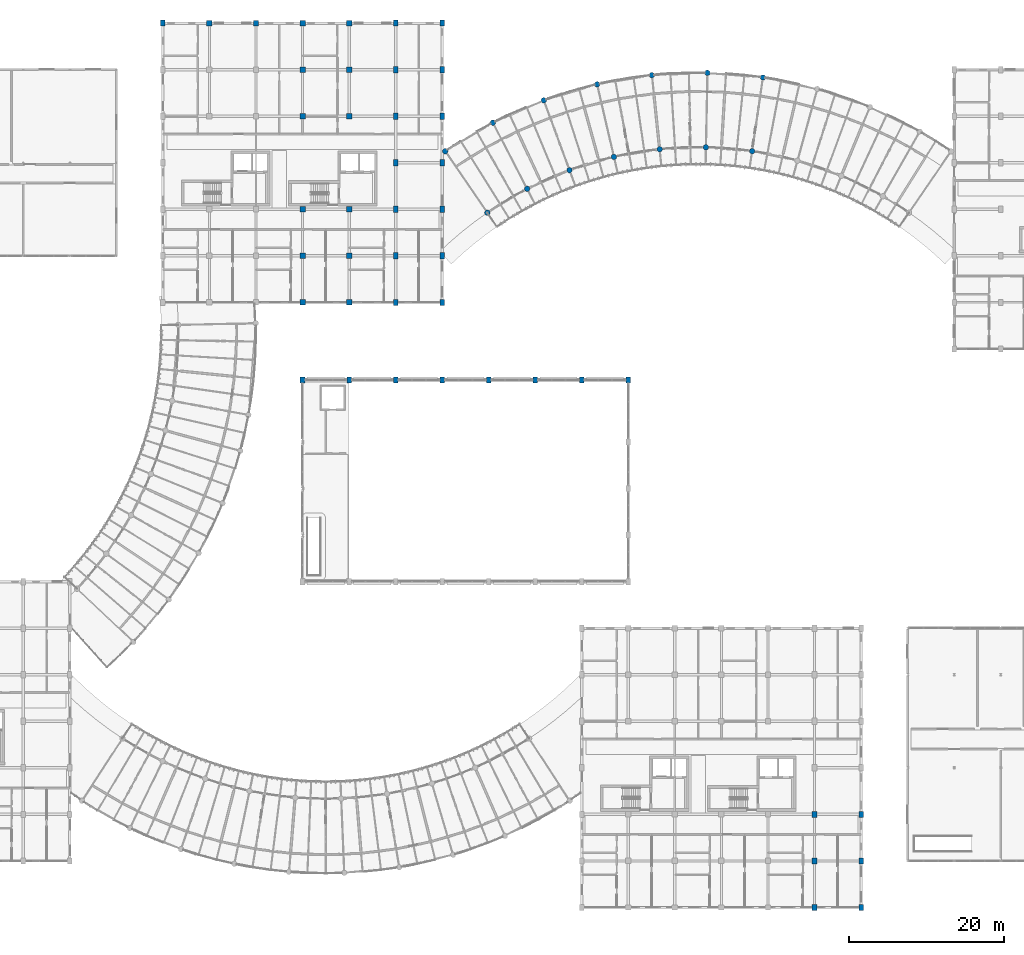
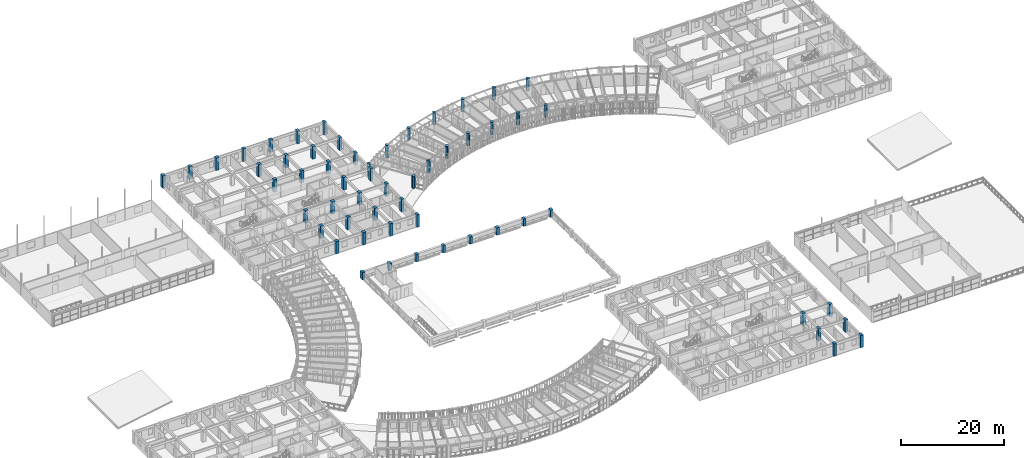
# One storey, part 9 of 137: 57 columns.
"""IFC4 building model written with IfcOpenShell, lengths in metres."""

from ifc_helpers import new_model, si_unit, direction, frame, origin, origin_2d, place, context, subcontext, project, spatial, rectangle, circle, extrude, material, material_profile, profile_set, type_object, element, save


model = new_model("IFC4")

# Units and contexts
model_context = context("Model", 3, precision=1e-05, world=origin(), true_north=direction((0.0, 1.0)))
body_context = subcontext(model_context, "Body", "Model", "MODEL_VIEW")
ifc_project = project(units=[si_unit("LENGTHUNIT", "METRE"), si_unit("AREAUNIT", "SQUARE_METRE"), si_unit("VOLUMEUNIT", "CUBIC_METRE"), si_unit("PLANEANGLEUNIT", "RADIAN"), si_unit("MASSUNIT", "GRAM", prefix="KILO"), si_unit("POWERUNIT", "WATT"), si_unit("THERMODYNAMICTEMPERATUREUNIT", "KELVIN")], contexts=[model_context])

# Site, building, storey
site_placement = place(None, origin())
site = spatial("IfcSite", under=ifc_project, at=site_placement, CompositionType="ELEMENT")
building_placement = place(site_placement, origin())
building = spatial("IfcBuilding", under=site, at=building_placement, Name="Ruvembo Vaulted Housing Court", CompositionType="ELEMENT")
storey_placement = place(building_placement, frame((0.0, 0.0, 4.5)))
storey = spatial("IfcBuildingStorey", under=building, at=storey_placement, Name="L01", CompositionType="ELEMENT", Elevation=4.5)

# Columns
ifc_material = material(Name="Concrete C40/50", Category="concrete")
ifc_material_profile_1 = material_profile(ifc_material, rectangle(XDim=0.60009765625, YDim=0.800048828125, at=origin_2d()), Name="RC 600x800")
ifc_profile_set_1 = profile_set([ifc_material_profile_1], Name="Concrete C40/50")
column_type_1 = type_object("IfcColumnType", Name="COL-RC-600x800", PredefinedType="COLUMN", material=ifc_profile_set_1)
column_1_placement = place(storey_placement, frame((48.0, 114.0, 0.0), z_axis=(0.0, 0.0, 1.0), x_axis=(1.0, 0.0, 0.0)))
element("IfcColumn", 1, at=column_1_placement, inside=storey, type_object=column_type_1, Name="L01 Column (48,114)", PredefinedType="COLUMN", context=body_context, shape_type="SweptSolid", body=[
    extrude(rectangle(XDim=0.60009765625, YDim=0.800048828125, at=origin_2d()), origin(), (0.0, 0.0, 1.0), 2.945068359375),
])
for number, where, z_axis, x_axis, name in (
    (2, (66.0, 68.0, 0.0), (0.0, 0.0, 1.0), (1.0, 0.0, 0.0), "L01 Column (66,68)"),
    (3, (72.0, 68.0, 0.0), (0.0, 0.0, 1.0), (1.0, 0.0, 0.0), "L01 Column (72,68)"),
    (4, (78.0, 68.0, 0.0), (0.0, 0.0, 1.0), (1.0, 0.0, 0.0), "L01 Column (78,68)"),
):
    element("IfcColumn", number, at=place(storey_placement, frame(where, z_axis=z_axis, x_axis=x_axis)), inside=storey, type_object=column_type_1, Name=name, PredefinedType="COLUMN", context=body_context, shape_type="SweptSolid", body=[
        extrude(rectangle(XDim=0.60009765625, YDim=0.800048828125, at=origin_2d()), origin(), (0.0, 0.0, 1.0), 1.719970703125),
    ])
for number, where, z_axis, x_axis, name in (
    (5, (78.0, 78.0, 0.0), (0.0, 0.0, 1.0), (1.0, 0.0, 0.0), "L01 Column (78,78)"),
    (6, (78.0, 84.0, 0.0), (0.0, 0.0, 1.0), (1.0, 0.0, 0.0), "L01 Column (78,84)"),
    (7, (78.0, 90.0, 0.0), (0.0, 0.0, 1.0), (1.0, 0.0, 0.0), "L01 Column (78,90)"),
    (8, (78.0, 96.0, 0.0), (0.0, 0.0, 1.0), (1.0, 0.0, 0.0), "L01 Column (78,96)"),
    (9, (78.0, 102.0, 0.0), (0.0, 0.0, 1.0), (1.0, 0.0, 0.0), "L01 Column (78,102)"),
    (10, (78.0, 108.0, 0.0), (0.0, 0.0, 1.0), (1.0, 0.0, 0.0), "L01 Column (78,108)"),
    (11, (78.0, 114.0, 0.0), (0.0, 0.0, 1.0), (1.0, 0.0, 0.0), "L01 Column (78,114)"),
):
    element("IfcColumn", number, at=place(storey_placement, frame(where, z_axis=z_axis, x_axis=x_axis)), inside=storey, type_object=column_type_1, Name=name, PredefinedType="COLUMN", context=body_context, shape_type="SweptSolid", body=[
        extrude(rectangle(XDim=0.60009765625, YDim=0.800048828125, at=origin_2d()), origin(), (0.0, 0.0, 1.0), 2.945068359375),
    ])
column_2_placement = place(storey_placement, frame((84.0, 68.0, 0.0), z_axis=(0.0, 0.0, 1.0), x_axis=(1.0, 0.0, 0.0)))
element("IfcColumn", 12, at=column_2_placement, inside=storey, type_object=column_type_1, Name="L01 Column (84,68)", PredefinedType="COLUMN", context=body_context, shape_type="SweptSolid", body=[
    extrude(rectangle(XDim=0.60009765625, YDim=0.800048828125, at=origin_2d()), origin(), (0.0, 0.0, 1.0), 1.719970703125),
])
for number, where, z_axis, x_axis, name in (
    (13, (84.0, 78.0, 0.0), (0.0, 0.0, 1.0), (1.0, 0.0, 0.0), "L01 Column (84,78)"),
    (14, (84.0, 84.0, 0.0), (0.0, 0.0, 1.0), (1.0, 0.0, 0.0), "L01 Column (84,84)"),
    (15, (84.0, 90.0, 0.0), (0.0, 0.0, 1.0), (1.0, 0.0, 0.0), "L01 Column (84,90)"),
    (16, (84.0, 96.0, 0.0), (0.0, 0.0, 1.0), (1.0, 0.0, 0.0), "L01 Column (84,96)"),
    (17, (84.0, 102.0, 0.0), (0.0, 0.0, 1.0), (1.0, 0.0, 0.0), "L01 Column (84,102)"),
    (18, (84.0, 108.0, 0.0), (0.0, 0.0, 1.0), (1.0, 0.0, 0.0), "L01 Column (84,108)"),
    (19, (84.0, 114.0, 0.0), (0.0, 0.0, 1.0), (1.0, 0.0, 0.0), "L01 Column (84,114)"),
):
    element("IfcColumn", number, at=place(storey_placement, frame(where, z_axis=z_axis, x_axis=x_axis)), inside=storey, type_object=column_type_1, Name=name, PredefinedType="COLUMN", context=body_context, shape_type="SweptSolid", body=[
        extrude(rectangle(XDim=0.60009765625, YDim=0.800048828125, at=origin_2d()), origin(), (0.0, 0.0, 1.0), 2.945068359375),
    ])
for number, where, z_axis, x_axis, name in (
    (20, (90.0, 68.0, 0.0), (0.0, 0.0, 1.0), (1.0, 0.0, 0.0), "L01 Column (90,68)"),
    (21, (96.0, 68.0, 0.0), (0.0, 0.0, 1.0), (1.0, 0.0, 0.0), "L01 Column (96,68)"),
    (22, (102.0, 68.0, 0.0), (0.0, 0.0, 1.0), (1.0, 0.0, 0.0), "L01 Column (102,68)"),
    (23, (108.0, 68.0, 0.0), (0.0, 0.0, 1.0), (1.0, 0.0, 0.0), "L01 Column (108,68)"),
):
    element("IfcColumn", number, at=place(storey_placement, frame(where, z_axis=z_axis, x_axis=x_axis)), inside=storey, type_object=column_type_1, Name=name, PredefinedType="COLUMN", context=body_context, shape_type="SweptSolid", body=[
        extrude(rectangle(XDim=0.60009765625, YDim=0.800048828125, at=origin_2d()), origin(), (0.0, 0.0, 1.0), 1.719970703125),
    ])
for number, where, z_axis, x_axis, name in (
    (24, (132.0, 0.0, 0.0), (0.0, 0.0, 1.0), (1.0, 0.0, 0.0), "L01 Column (132,0)"),
    (25, (132.0, 6.0, 0.0), (0.0, 0.0, 1.0), (1.0, 0.0, 0.0), "L01 Column (132,6)"),
    (26, (132.0, 12.0, 0.0), (0.0, 0.0, 1.0), (1.0, 0.0, 0.0), "L01 Column (132,12)"),
    (27, (138.0, 0.0, 0.0), (0.0, 0.0, 1.0), (1.0, 0.0, 0.0), "L01 Column (138,0)"),
    (28, (138.0, 6.0, 0.0), (0.0, 0.0, 1.0), (1.0, 0.0, 0.0), "L01 Column (138,6)"),
    (29, (138.0, 12.0, 0.0), (0.0, 0.0, 1.0), (1.0, 0.0, 0.0), "L01 Column (138,12)"),
):
    element("IfcColumn", number, at=place(storey_placement, frame(where, z_axis=z_axis, x_axis=x_axis)), inside=storey, type_object=column_type_1, Name=name, PredefinedType="COLUMN", context=body_context, shape_type="SweptSolid", body=[
        extrude(rectangle(XDim=0.60009765625, YDim=0.800048828125, at=origin_2d()), origin(), (0.0, 0.0, 1.0), 2.945068359375),
    ])
ifc_material_profile_2 = material_profile(ifc_material, rectangle(XDim=0.699951171875, YDim=0.699951171875, at=origin_2d()), Name="RC 700x700")
ifc_profile_set_2 = profile_set([ifc_material_profile_2], Name="Concrete C40/50")
column_type_2 = type_object("IfcColumnType", Name="COL-RC-700", PredefinedType="COLUMN", material=ifc_profile_set_2)
for number, where, z_axis, x_axis, name in (
    (30, (54.0, 114.0, 0.0), (0.0, 0.0, 1.0), (1.0, 0.0, 0.0), "L01 Column (54,114)"),
    (31, (60.0, 114.0, 0.0), (0.0, 0.0, 1.0), (1.0, 0.0, 0.0), "L01 Column (60,114)"),
    (32, (66.0, 78.0, 0.0), (0.0, 0.0, 1.0), (1.0, 0.0, 0.0), "L01 Column (66,78)"),
    (33, (66.0, 84.0, 0.0), (0.0, 0.0, 1.0), (1.0, 0.0, 0.0), "L01 Column (66,84)"),
    (34, (66.0, 90.0, 0.0), (0.0, 0.0, 1.0), (1.0, 0.0, 0.0), "L01 Column (66,90)"),
    (35, (66.0, 102.0, 0.0), (0.0, 0.0, 1.0), (1.0, 0.0, 0.0), "L01 Column (66,102)"),
    (36, (66.0, 108.0, 0.0), (0.0, 0.0, 1.0), (1.0, 0.0, 0.0), "L01 Column (66,108)"),
    (37, (66.0, 114.0, 0.0), (0.0, 0.0, 1.0), (1.0, 0.0, 0.0), "L01 Column (66,114)"),
    (38, (72.0, 78.0, 0.0), (0.0, 0.0, 1.0), (1.0, 0.0, 0.0), "L01 Column (72,78)"),
    (39, (72.0, 84.0, 0.0), (0.0, 0.0, 1.0), (1.0, 0.0, 0.0), "L01 Column (72,84)"),
    (40, (72.0, 90.0, 0.0), (0.0, 0.0, 1.0), (1.0, 0.0, 0.0), "L01 Column (72,90)"),
    (41, (72.0, 102.0, 0.0), (0.0, 0.0, 1.0), (1.0, 0.0, 0.0), "L01 Column (72,102)"),
    (42, (72.0, 108.0, 0.0), (0.0, 0.0, 1.0), (1.0, 0.0, 0.0), "L01 Column (72,108)"),
    (43, (72.0, 114.0, 0.0), (0.0, 0.0, 1.0), (1.0, 0.0, 0.0), "L01 Column (72,114)"),
):
    element("IfcColumn", number, at=place(storey_placement, frame(where, z_axis=z_axis, x_axis=x_axis)), inside=storey, type_object=column_type_2, Name=name, PredefinedType="COLUMN", context=body_context, shape_type="SweptSolid", body=[
        extrude(rectangle(XDim=0.699951171875, YDim=0.699951171875, at=origin_2d()), origin(), (0.0, 0.0, 1.0), 2.945068359375),
    ])
ifc_material_profile_3 = material_profile(ifc_material, circle(Radius=0.35009765625, at=origin_2d()), Name="RC D700")
ifc_profile_set_3 = profile_set([ifc_material_profile_3], Name="Concrete C40/50")
column_type_3 = type_object("IfcColumnType", Name="PILOTIS-D700", PredefinedType="COLUMN", material=ifc_profile_set_3)
for number, where, z_axis, x_axis, name in (
    (44, (89.82177734375, 89.564453125, 0.0), (0.0, 0.0, 1.0), (1.0, 0.0, 0.0), "L01 Scooped Pier CP-SC3-F01"),
    (45, (84.38623046875, 97.477294921875, 0.0), (0.0, 0.0, 1.0), (1.0, 0.0, 0.0), "L01 Scooped Pier CP-SC3-B01"),
    (46, (94.946533203125, 92.6337890625, 0.0), (0.0, 0.0, 1.0), (1.0, 0.0, 0.0), "L01 Scooped Pier CP-SC3-F02"),
    (47, (90.535888671875, 101.16064453125, 0.0), (0.0, 0.0, 1.0), (1.0, 0.0, 0.0), "L01 Scooped Pier CP-SC3-B02"),
    (48, (100.412841796875, 95.04296875, 0.0), (0.0, 0.0, 1.0), (1.0, 0.0, 0.0), "L01 Scooped Pier CP-SC3-F03"),
    (49, (97.095458984375, 104.051513671875, 0.0), (0.0, 0.0, 1.0), (1.0, 0.0, 0.0), "L01 Scooped Pier CP-SC3-B03"),
    (50, (106.13623046875, 96.75439453125, 0.0), (0.0, 0.0, 1.0), (1.0, 0.0, 0.0), "L01 Scooped Pier CP-SC3-F04"),
    (51, (103.96337890625, 106.105224609375, 0.0), (0.0, 0.0, 1.0), (1.0, 0.0, 0.0), "L01 Scooped Pier CP-SC3-B04"),
    (52, (112.027587890625, 97.74169921875, 0.0), (0.0, 0.0, 1.0), (1.0, 0.0, 0.0), "L01 Scooped Pier CP-SC3-F05"),
    (53, (111.033203125, 107.2900390625, 0.0), (0.0, 0.0, 1.0), (1.0, 0.0, 0.0), "L01 Scooped Pier CP-SC3-B05"),
    (54, (117.99609375, 97.98974609375, 0.0), (0.0, 0.0, 1.0), (1.0, 0.0, 0.0), "L01 Scooped Pier CP-SC3-F06"),
    (55, (118.1953125, 107.587646484375, 0.0), (0.0, 0.0, 1.0), (1.0, 0.0, 0.0), "L01 Scooped Pier CP-SC3-B06"),
    (56, (123.94921875, 97.494384765625, 0.0), (0.0, 0.0, 1.0), (1.0, 0.0, 0.0), "L01 Scooped Pier CP-SC3-F07"),
    (57, (125.339111328125, 106.9931640625, 0.0), (0.0, 0.0, 1.0), (1.0, 0.0, 0.0), "L01 Scooped Pier CP-SC3-B07"),
):
    element("IfcColumn", number, at=place(storey_placement, frame(where, z_axis=z_axis, x_axis=x_axis)), inside=storey, type_object=column_type_3, Name=name, PredefinedType="COLUMN", context=body_context, shape_type="SweptSolid", body=[
        extrude(circle(Radius=0.35009765625, at=origin_2d()), origin(), (0.0, 0.0, 1.0), 2.947998046875),
    ])

save(model, "model.ifc")
